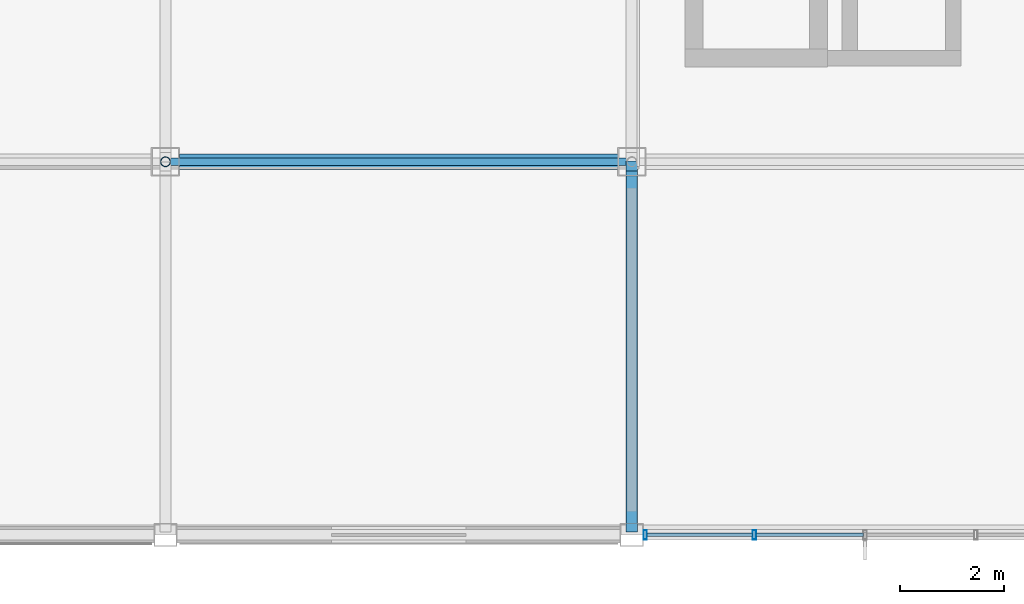
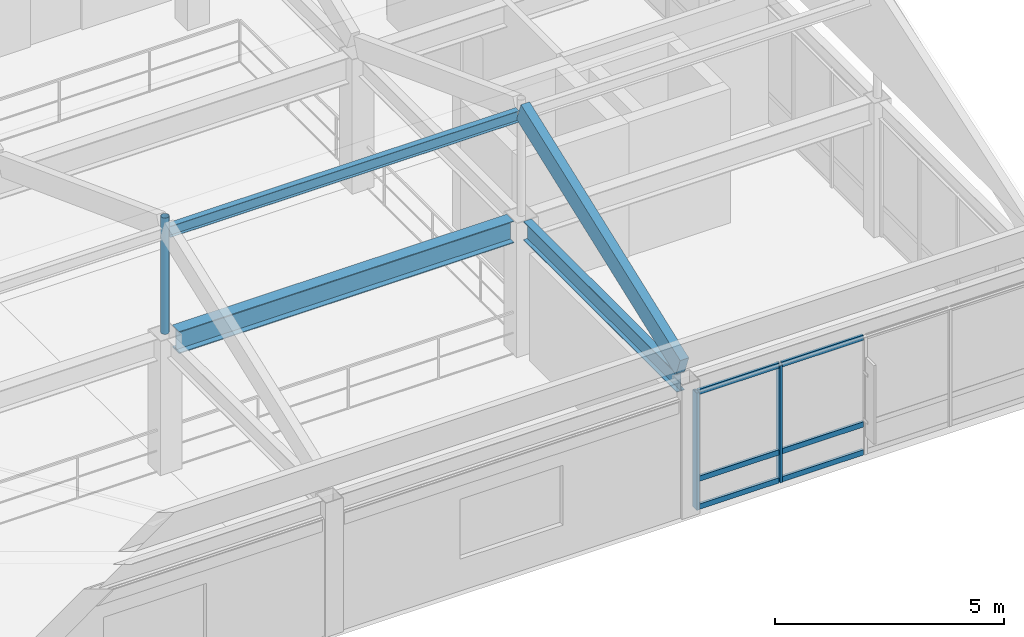
# One storey, part 14 of 113: 10 members, 3 beams, 1 element without a shape of its own.
"""IFC4 building model written with IfcOpenShell, lengths in metres."""

from ifc_helpers import new_model, si_unit, direction, frame, origin, origin_2d, place, context, subcontext, project, spatial, rectangle, hollow_rectangle, hollow_circle, i_section, extrude, material, material_profile, profile_set, type_object, element, aggregate, save


model = new_model("IFC4")

# Units and contexts
model_context = context("Model", 3, precision=1e-05, world=origin(), true_north=direction((0.0, 1.0)))
body_context = subcontext(model_context, "Body", "Model", "MODEL_VIEW")
ifc_project = project(units=[si_unit("LENGTHUNIT", "METRE"), si_unit("AREAUNIT", "SQUARE_METRE"), si_unit("VOLUMEUNIT", "CUBIC_METRE"), si_unit("PLANEANGLEUNIT", "RADIAN"), si_unit("MASSUNIT", "GRAM", prefix="KILO")], contexts=[model_context])

# Site, building, storey
site_placement = place(None, origin())
site = spatial("IfcSite", under=ifc_project, at=site_placement, CompositionType="ELEMENT")
building_placement = place(site_placement, origin())
building = spatial("IfcBuilding", under=site, at=building_placement, Name="Kazanami Central Library", CompositionType="ELEMENT")
storey_placement = place(building_placement, frame((0.0, 0.0, 8.800048828125)))
storey = spatial("IfcBuildingStorey", under=building, at=storey_placement, Name="L03", CompositionType="ELEMENT", Elevation=8.800048828125)

# Beams
ifc_material_1 = material(Name="Steel SN490B (325 MPa)", Category="steel")
ifc_material_profile_1 = material_profile(ifc_material_1, i_section(OverallWidth=0.14990234375, OverallDepth=0.300048828125, WebThickness=0.006591796875, FlangeThickness=0.009033203125, at=origin_2d()), Name="H-300x150x6.5x9")
ifc_profile_set_1 = profile_set([ifc_material_profile_1], Name="Steel SN490B (325 MPa)")
beam_type_1 = type_object("IfcBeamType", Name="BM-CAN-300", PredefinedType="SPANDREL", material=ifc_profile_set_1)
beam_1_placement = place(storey_placement, frame((18.097900390625, 7.199951171875, 6.260009765625), z_axis=(1.0, 0.0, 0.0), x_axis=(0.0, 1.0, 0.0)))
element("IfcBeam", 1, at=beam_1_placement, inside=storey, type_object=beam_type_1, Name="Folded Shell Ridge Girder FOLD-L03-V3-S Bay 3", PredefinedType="BEAM", context=body_context, shape_type="SweptSolid", body=[
    extrude(i_section(OverallWidth=0.14990234375, OverallDepth=0.300048828125, WebThickness=0.006591796875, FlangeThickness=0.009033203125, at=origin_2d()), origin(), (0.0, 0.0, 1.0), 8.80419921875),
])
ifc_material_profile_2 = material_profile(ifc_material_1, i_section(OverallWidth=0.300048828125, OverallDepth=0.587890625, WebThickness=0.011962890625, FlangeThickness=0.02001953125, at=origin_2d()), Name="H-588x300x12x20")
ifc_profile_set_2 = profile_set([ifc_material_profile_2], Name="Steel SN490B (325 MPa)")
beam_type_2 = type_object("IfcBeamType", Name="BM-G-X2", PredefinedType="BEAM", material=ifc_profile_set_2)
beam_2_placement = place(storey_placement, frame((18.27294921875, 7.199951171875, 3.285888671875), z_axis=(1.0, 0.0, 0.0), x_axis=(0.0, 1.0, 0.0)))
element("IfcBeam", 2, at=beam_2_placement, inside=storey, type_object=beam_type_2, Name="Girder G-X2 L03 B/3-4", PredefinedType="BEAM", context=body_context, shape_type="SweptSolid", body=[
    extrude(i_section(OverallWidth=0.300048828125, OverallDepth=0.587890625, WebThickness=0.011962890625, FlangeThickness=0.02001953125, at=origin_2d()), origin(), (0.0, 0.0, 1.0), 8.4541015625),
])
ifc_material_profile_3 = material_profile(ifc_material_1, i_section(OverallWidth=0.199951171875, OverallDepth=0.5, WebThickness=0.010009765625, FlangeThickness=0.01611328125, at=origin_2d()), Name="H-500x200x10x16")
ifc_profile_set_3 = profile_set([ifc_material_profile_3], Name="Steel SN490B (325 MPa)")
beam_type_3 = type_object("IfcBeamType", Name="BM-G-Y2", PredefinedType="BEAM", material=ifc_profile_set_3)
beam_3_placement = place(storey_placement, frame((27.0, 0.222900390625, 3.329833984375), z_axis=(0.0, 1.0, 0.0), x_axis=(-1.0, 0.0, 0.0)))
element("IfcBeam", 3, at=beam_3_placement, inside=storey, type_object=beam_type_3, Name="Girder G-Y2 L03 4/A-B", PredefinedType="BEAM", context=body_context, shape_type="SweptSolid", body=[
    extrude(i_section(OverallWidth=0.199951171875, OverallDepth=0.5, WebThickness=0.010009765625, FlangeThickness=0.01611328125, at=origin_2d()), origin(), (0.0, 0.0, 1.0), 6.7041015625),
])

# Curtain wall, members
ifc_material_2 = material(Name="Acid-Etched Low-E Laminated Glass", Category="glass")
curtain_wall_type = type_object("IfcCurtainWallType", Name="CW-8550x3130-M225", PredefinedType="USERDEFINED", material=ifc_material_2)
curtain_wall_placement = place(storey_placement, origin())
curtain_wall = element("IfcCurtainWall", 4, at=curtain_wall_placement, inside=storey, type_object=curtain_wall_type, Name="Unitised Curtain Wall CW-24 L03 S-A-03", ObjectType="UNITISED CURTAIN WALL", PredefinedType="USERDEFINED")
ifc_material_3 = material(Name="Anodised Aluminium A6063-T5", Category="aluminium")
ifc_material_profile_4 = material_profile(ifc_material_3, hollow_rectangle(XDim=0.06494140625, YDim=0.179931640625, WallThickness=0.00390625, at=origin_2d()), Name="ALU-MULL-65x180x4")
ifc_profile_set_4 = profile_set([ifc_material_profile_4], Name="Anodised Aluminium A6063-T5")
member_type_1 = type_object("IfcMemberType", Name="MEM-CW-M2", PredefinedType="MULLION", material=ifc_profile_set_4)
member_1_placement = place(storey_placement, frame((27.257568359375, 0.0, 0.0), z_axis=(0.0, 0.0, 1.0), x_axis=(1.0, 0.0, 0.0)))
member_1 = element("IfcMember", 5, at=member_1_placement, type_object=member_type_1, Name="CW-24 mullion 1", PredefinedType="MULLION", context=body_context, shape_type="SweptSolid", body=[
    extrude(hollow_rectangle(XDim=0.06494140625, YDim=0.179931640625, WallThickness=0.00390625, at=origin_2d()), origin(), (0.0, 0.0, 1.0), 3.1298828125),
])
member_2_placement = place(storey_placement, frame((29.362548828125, 0.0, 0.0), z_axis=(0.0, 0.0, 1.0), x_axis=(1.0, 0.0, 0.0)))
member_2 = element("IfcMember", 6, at=member_2_placement, type_object=member_type_1, Name="CW-24 mullion 2", PredefinedType="MULLION", context=body_context, shape_type="SweptSolid", body=[
    extrude(hollow_rectangle(XDim=0.06494140625, YDim=0.179931640625, WallThickness=0.00390625, at=origin_2d()), origin(), (0.0, 0.0, 1.0), 3.1298828125),
])
ifc_material_profile_5 = material_profile(ifc_material_3, hollow_rectangle(XDim=0.06494140625, YDim=0.139892578125, WallThickness=0.00390625, at=origin_2d()), Name="ALU-TRAN-65x140x4")
ifc_profile_set_5 = profile_set([ifc_material_profile_5], Name="Anodised Aluminium A6063-T5")
member_type_2 = type_object("IfcMemberType", Name="MEM-CW-T2", PredefinedType="USERDEFINED", material=ifc_profile_set_5)
member_3_placement = place(storey_placement, frame((27.2900390625, 0.0, 0.032470703125), z_axis=(1.0, 0.0, 0.0), x_axis=(0.0, 1.0, 0.0)))
member_3 = element("IfcMember", 7, at=member_3_placement, type_object=member_type_2, Name="CW-24 transom 1.1", ObjectType="TRANSOM", PredefinedType="USERDEFINED", context=body_context, shape_type="SweptSolid", body=[
    extrude(hollow_rectangle(XDim=0.06494140625, YDim=0.139892578125, WallThickness=0.00390625, at=origin_2d()), origin(), (0.0, 0.0, 1.0), 2.0400390625),
])
member_4_placement = place(storey_placement, frame((27.2900390625, 0.0, 0.780029296875), z_axis=(1.0, 0.0, 0.0), x_axis=(0.0, 1.0, 0.0)))
member_4 = element("IfcMember", 8, at=member_4_placement, type_object=member_type_2, Name="CW-24 transom 1.2", ObjectType="TRANSOM", PredefinedType="USERDEFINED", context=body_context, shape_type="SweptSolid", body=[
    extrude(hollow_rectangle(XDim=0.06494140625, YDim=0.139892578125, WallThickness=0.00390625, at=origin_2d()), origin(), (0.0, 0.0, 1.0), 2.0400390625),
])
member_5_placement = place(storey_placement, frame((27.2900390625, 0.0, 3.097412109375), z_axis=(1.0, 0.0, 0.0), x_axis=(0.0, 1.0, 0.0)))
member_5 = element("IfcMember", 9, at=member_5_placement, type_object=member_type_2, Name="CW-24 transom 1.3", ObjectType="TRANSOM", PredefinedType="USERDEFINED", context=body_context, shape_type="SweptSolid", body=[
    extrude(hollow_rectangle(XDim=0.06494140625, YDim=0.139892578125, WallThickness=0.00390625, at=origin_2d()), origin(), (0.0, 0.0, 1.0), 2.0400390625),
])
member_6_placement = place(storey_placement, frame((29.39501953125, 0.0, 0.032470703125), z_axis=(1.0, 0.0, 0.0), x_axis=(0.0, 1.0, 0.0)))
member_6 = element("IfcMember", 10, at=member_6_placement, type_object=member_type_2, Name="CW-24 transom 2.1", ObjectType="TRANSOM", PredefinedType="USERDEFINED", context=body_context, shape_type="SweptSolid", body=[
    extrude(hollow_rectangle(XDim=0.06494140625, YDim=0.139892578125, WallThickness=0.00390625, at=origin_2d()), origin(), (0.0, 0.0, 1.0), 2.072509765625),
])
member_7_placement = place(storey_placement, frame((29.39501953125, 0.0, 0.780029296875), z_axis=(1.0, 0.0, 0.0), x_axis=(0.0, 1.0, 0.0)))
member_7 = element("IfcMember", 11, at=member_7_placement, type_object=member_type_2, Name="CW-24 transom 2.2", ObjectType="TRANSOM", PredefinedType="USERDEFINED", context=body_context, shape_type="SweptSolid", body=[
    extrude(hollow_rectangle(XDim=0.06494140625, YDim=0.139892578125, WallThickness=0.00390625, at=origin_2d()), origin(), (0.0, 0.0, 1.0), 2.072509765625),
])
member_8_placement = place(storey_placement, frame((29.39501953125, 0.0, 3.097412109375), z_axis=(1.0, 0.0, 0.0), x_axis=(0.0, 1.0, 0.0)))
member_8 = element("IfcMember", 12, at=member_8_placement, type_object=member_type_2, Name="CW-24 transom 2.3", ObjectType="TRANSOM", PredefinedType="USERDEFINED", context=body_context, shape_type="SweptSolid", body=[
    extrude(hollow_rectangle(XDim=0.06494140625, YDim=0.139892578125, WallThickness=0.00390625, at=origin_2d()), origin(), (0.0, 0.0, 1.0), 2.072509765625),
])
aggregate(curtain_wall, [member_1, member_2, member_3, member_4, member_5, member_6, member_7, member_8])

# Members
ifc_material_4 = material(Name="Glulam GL28h (28 MPa)", Category="wood")
ifc_material_profile_6 = material_profile(ifc_material_4, rectangle(XDim=0.219970703125, YDim=0.5400390625, at=origin_2d()), Name="GL28h-220x540")
ifc_profile_set_6 = profile_set([ifc_material_profile_6], Name="Glulam GL28h (28 MPa)")
member_type_3 = type_object("IfcMemberType", Name="MEM-GL-01", PredefinedType="RAFTER", material=ifc_profile_set_6)
member_9_placement = place(storey_placement, frame((27.0, 0.14990234375, 3.780029296875), z_axis=(0.0, 0.93650430586, 0.350656078096), x_axis=(-1.0, 0.0, 0.0)))
element("IfcMember", 13, at=member_9_placement, inside=storey, type_object=member_type_3, Name="Glulam Timber Shell Rafter GL-01 FOLD-L03-V3-S Grid 4 South", PredefinedType="RAFTER", context=body_context, shape_type="SweptSolid", body=[
    extrude(rectangle(XDim=0.219970703125, YDim=0.5400390625, at=origin_2d()), origin(), (0.0, 0.0, 1.0), 7.44287109375),
])
ifc_material_5 = material(Name="Steel STK490 (315 MPa)", Category="steel")
ifc_material_profile_7 = material_profile(ifc_material_5, hollow_circle(Radius=0.095458984375, WallThickness=0.007080078125, at=origin_2d()), Name="CHS-190.7x7.0")
ifc_profile_set_7 = profile_set([ifc_material_profile_7], Name="Steel STK490 (315 MPa)")
member_type_4 = type_object("IfcMemberType", Name="MEM-VST-190", PredefinedType="STRUT", material=ifc_profile_set_7)
member_10_placement = place(storey_placement, frame((18.0, 7.199951171875, 3.579833984375), z_axis=(0.0, 0.0, 1.0), x_axis=(1.0, 0.0, 0.0)))
element("IfcMember", 14, at=member_10_placement, inside=storey, type_object=member_type_4, Name="Folded Shell Ridge Strut Post FOLD-L03-V3-S Grid 3", PredefinedType="POST", context=body_context, shape_type="SweptSolid", body=[
    extrude(hollow_circle(Radius=0.095458984375, WallThickness=0.007080078125, at=origin_2d()), origin(), (0.0, 0.0, 1.0), 3.1025390625),
])

save(model, "model.ifc")
